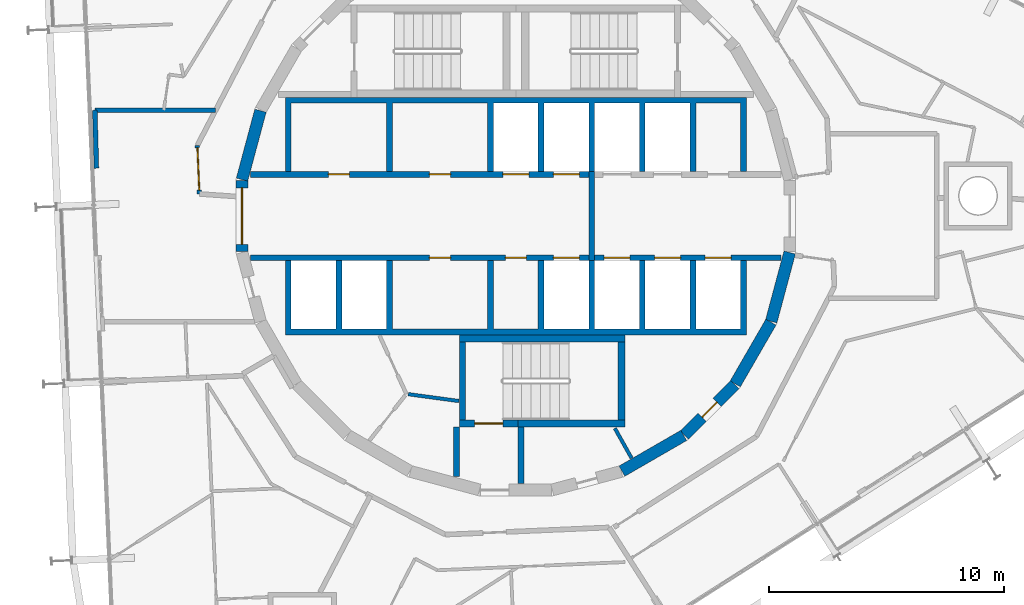
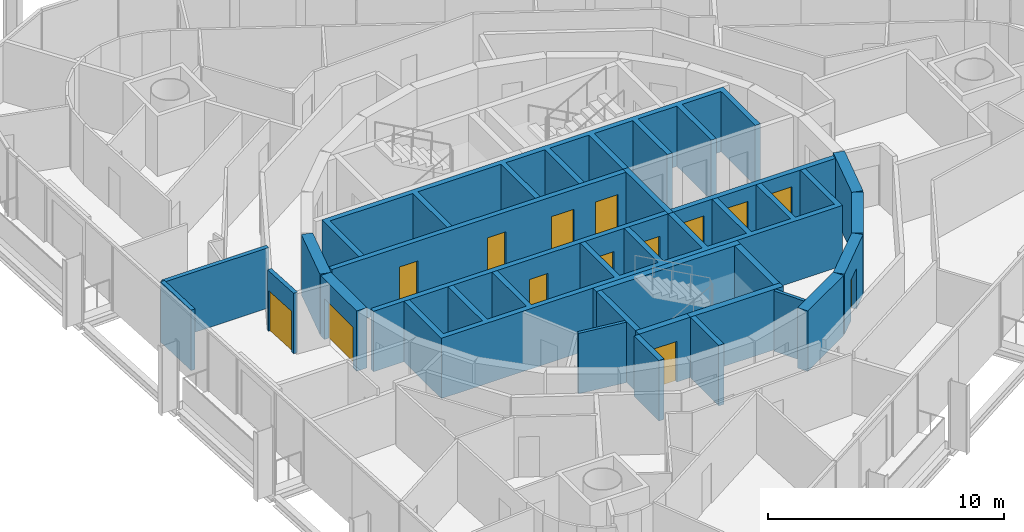
# One storey, part 13 of 18: 24 walls, 14 doors, 14 openings.
"""IFC4 building model written with IfcOpenShell, lengths in metres."""

from ifc_helpers import new_model, si_unit, direction, frame, frame_2d, origin, place, context, subcontext, project, spatial, polyline, rectangle, outline, extrude, material, layer, layer_set, type_object, element, fill, save


model = new_model("IFC4")

# Units and contexts
model_context = context("Model", 3, precision=1e-05, world=origin(), true_north=direction((0.0, 1.0)))
body_context = subcontext(model_context, "Body", "Model", "MODEL_VIEW")
ifc_project = project(units=[si_unit("LENGTHUNIT", "METRE"), si_unit("AREAUNIT", "SQUARE_METRE"), si_unit("VOLUMEUNIT", "CUBIC_METRE"), si_unit("PLANEANGLEUNIT", "RADIAN"), si_unit("MASSUNIT", "GRAM", prefix="KILO")], contexts=[model_context])

# Site, building, storey
site_placement = place(None, origin())
site = spatial("IfcSite", under=ifc_project, at=site_placement, CompositionType="ELEMENT")
building_placement = place(site_placement, origin())
building = spatial("IfcBuilding", under=site, at=building_placement, Name="Spindle Arch Residences", CompositionType="ELEMENT")
storey_placement = place(building_placement, frame((0.0, 0.0, 233.699951171875)))
storey = spatial("IfcBuildingStorey", under=building, at=storey_placement, Name="L59", CompositionType="ELEMENT", Elevation=233.699951171875)

# Wall
ifc_material_1 = material(Name="Concrete C50/60", Category="concrete")
ifc_layer_1 = layer(ifc_material_1, 0.5)
ifc_layer_set_1 = layer_set([ifc_layer_1], Name="Core outline wall 500")
wall_type_1 = type_object("IfcWallType", Name="Core outline wall 500", PredefinedType="SHEAR", material=ifc_layer_set_1)
wall_1_placement = place(storey_placement, frame((4.510498046875, -10.84521484375, 0.0), z_axis=(0.0, 0.0, 1.0), x_axis=(0.865975092491, 0.500087131594, 0.0)))
element("IfcWall", 1, at=wall_1_placement, inside=storey, type_object=wall_type_1, Name="Core outline wall 2", PredefinedType="SHEAR", context=body_context, shape_type="SweptSolid", body=[
    extrude(rectangle(XDim=3.03271484375, YDim=0.5, at=frame_2d((1.516357421875, 0.0))), origin(), (0.0, 0.0, 1.0), 3.1201171875),
])

# Wall, opening, door
wall_2_placement = place(storey_placement, frame((7.163818359375, -9.30810546875, 0.0), z_axis=(0.0, 0.0, 1.0), x_axis=(0.707106781187, 0.707106781187, 0.0)))
wall_2 = element("IfcWall", 2, at=wall_2_placement, inside=storey, type_object=wall_type_1, Name="Core outline wall 3", PredefinedType="SHEAR", context=body_context, shape_type="SweptSolid", body=[
    extrude(rectangle(XDim=3.032470703125, YDim=0.5, at=frame_2d((1.51611328125, 0.0))), origin(), (0.0, 0.0, 1.0), 3.1201171875),
])
opening_1_placement = place(wall_2_placement, frame((1.06640625, 0.0, 0.0)))
opening_1 = element("IfcOpeningElement", 3, at=opening_1_placement, cuts=wall_2, Name="Opening R6A0-WD08", PredefinedType="OPENING", context=body_context, shape_type="SweptSolid", body=[
    extrude(rectangle(XDim=0.89990234375, YDim=2.10009765625, at=frame_2d((0.449951171875, 1.050048828125))), frame((0.0, 0.260009765625, 0.0), z_axis=(0.0, -1.0, 0.0), x_axis=(1.0, 0.0, 0.0)), (0.0, 0.0, 1.0), 0.52001953125),
])
ifc_material_2 = material(Name="Steel, fire-resisting door", Category="steel")
door_type_1 = type_object("IfcDoorType", Name="Service room door 900x2100", OperationType="SINGLE_SWING_LEFT", PredefinedType="DOOR", material=ifc_material_2)
door_1_placement = place(opening_1_placement, origin())
door_1 = element("IfcDoor", 4, at=door_1_placement, inside=storey, type_object=door_type_1, Name="Service room door R6A0-WD08", OperationType="SINGLE_SWING_RIGHT", OverallHeight=2.10009765625, OverallWidth=0.89990234375, PredefinedType="DOOR", context=body_context, shape_type="SweptSolid", body=[
    extrude(rectangle(XDim=0.89990234375, YDim=2.10009765625, at=frame_2d((0.449951171875, 1.050048828125))), frame((0.0, 0.02490234375, 0.0), z_axis=(0.0, -1.0, 0.0), x_axis=(1.0, 0.0, 0.0)), (0.0, 0.0, 1.0), 0.050048828125),
])
fill(opening_1, door_1)

# Walls
for number, where, z_axis, x_axis, name in (
    (5, (9.32861328125, -7.13671875, 0.0), (0.0, 0.0, 1.0), (0.500087131594, 0.865975092491, 0.0), "Core outline wall 4"),
    (6, (10.858154296875, -4.479248046875, 0.0), (0.0, 0.0, 1.0), (0.258734743916, 0.965948410781, 0.0), "Core outline wall 5"),
    (7, (-10.858154296875, 4.479248046875, 0.0), (0.0, 0.0, 1.0), (-0.258734743916, -0.965948410781, 0.0), "Core outline wall 17"),
):
    element("IfcWall", number, at=place(storey_placement, frame(where, z_axis=z_axis, x_axis=x_axis)), inside=storey, type_object=wall_type_1, Name=name, PredefinedType="SHEAR", context=body_context, shape_type="SweptSolid", body=[
        extrude(rectangle(XDim=3.03271484375, YDim=0.5, at=frame_2d((1.516357421875, 0.0))), origin(), (0.0, 0.0, 1.0), 3.1201171875),
    ])

# Wall, opening, door
wall_3_placement = place(storey_placement, frame((-11.647216796875, 1.516357421875, 0.0), z_axis=(0.0, 0.0, 1.0), x_axis=(0.0, -1.0, 0.0)))
wall_3 = element("IfcWall", 8, at=wall_3_placement, inside=storey, type_object=wall_type_1, Name="Core outline wall 18", PredefinedType="SHEAR", context=body_context, shape_type="SweptSolid", body=[
    extrude(rectangle(XDim=3.03271484375, YDim=0.5, at=frame_2d((1.516357421875, 0.0))), origin(), (0.0, 0.0, 1.0), 3.1201171875),
])
opening_2_placement = place(wall_3_placement, frame((0.31640625, 0.0, 0.0)))
opening_2 = element("IfcOpeningElement", 9, at=opening_2_placement, cuts=wall_3, Name="Opening R6A0-LE01", PredefinedType="OPENING", context=body_context, shape_type="SweptSolid", body=[
    extrude(rectangle(XDim=2.39990234375, YDim=2.10009765625, at=frame_2d((1.199951171875, 1.050048828125))), frame((0.0, 0.260009765625, 0.0), z_axis=(0.0, -1.0, 0.0), x_axis=(1.0, 0.0, 0.0)), (0.0, 0.0, 1.0), 0.52001953125),
])
ifc_material_3 = material(Name="Steel, fire-resisting door", Category="steel")
door_type_2 = type_object("IfcDoorType", Name="Lift lobby entrance door 2400x2100", OperationType="DOUBLE_DOOR_SINGLE_SWING", PredefinedType="DOOR", material=ifc_material_3)
door_2_placement = place(opening_2_placement, origin())
door_2 = element("IfcDoor", 10, at=door_2_placement, inside=storey, type_object=door_type_2, Name="Lift lobby entrance door R6A0-LE01", OperationType="DOUBLE_DOOR_SINGLE_SWING", OverallHeight=2.10009765625, OverallWidth=2.39990234375, PredefinedType="DOOR", context=body_context, shape_type="SweptSolid", body=[
    extrude(rectangle(XDim=2.39990234375, YDim=2.10009765625, at=frame_2d((1.199951171875, 1.050048828125))), frame((0.0, 0.02490234375, 0.0), z_axis=(0.0, -1.0, 0.0), x_axis=(1.0, 0.0, 0.0)), (0.0, 0.0, 1.0), 0.050048828125),
])
fill(opening_2, door_2)

# Wall
ifc_material_4 = material(Name="Concrete C40/50", Category="concrete")
ifc_layer_2 = layer(ifc_material_4, 0.25)
ifc_layer_set_2 = layer_set([ifc_layer_2], Name="Fire-lift lobby wall 250")
wall_type_2 = type_object("IfcWallType", Name="Fire-lift lobby wall 250", PredefinedType="SHEAR", material=ifc_layer_set_2)
wall_4_placement = place(storey_placement, frame((3.22509765625, -1.89990234375, 0.0), z_axis=(0.0, 0.0, 1.0), x_axis=(0.0, 1.0, 0.0)))
element("IfcWall", 11, at=wall_4_placement, inside=storey, type_object=wall_type_2, Name="Fire-fighting lobby partition", PredefinedType="SHEAR", context=body_context, shape_type="SweptSolid", body=[
    extrude(rectangle(XDim=3.7998046875, YDim=0.25, at=frame_2d((1.89990234375, 0.0))), origin(), (0.0, 0.0, 1.0), 3.1201171875),
])

# Wall, openings, doors
ifc_material_5 = material(Name="Concrete C50/60", Category="concrete")
ifc_layer_3 = layer(ifc_material_5, 0.25)
ifc_layer_set_3 = layer_set([ifc_layer_3], Name="Fire-lift shaft wall 250")
wall_type_3 = type_object("IfcWallType", Name="Fire-lift shaft wall 250", PredefinedType="SHEAR", material=ifc_layer_set_3)
wall_5_placement = place(storey_placement, frame((3.35009765625, -1.77490234375, 0.0), z_axis=(0.0, 0.0, 1.0), x_axis=(1.0, 0.0, 0.0)))
wall_5 = element("IfcWall", 12, at=wall_5_placement, inside=storey, type_object=wall_type_3, Name="Lift shaft front wall SE", PredefinedType="SHEAR", context=body_context, shape_type="SweptSolid", body=[
    extrude(rectangle(XDim=7.929931640625, YDim=0.25, at=frame_2d((3.96484375, 0.0))), origin(), (0.0, 0.0, 1.0), 3.1201171875),
])
opening_3_placement = place(wall_5_placement, frame((0.39990234375, 0.0, 0.0)))
opening_3 = element("IfcOpeningElement", 13, at=opening_3_placement, cuts=wall_5, Name="Opening R6A0-FLD01", PredefinedType="OPENING", context=body_context, shape_type="SweptSolid", body=[
    extrude(rectangle(XDim=1.10009765625, YDim=2.39990234375, at=frame_2d((0.550048828125, 1.199951171875))), frame((0.0, 0.135009765625, 0.0), z_axis=(0.0, -1.0, 0.0), x_axis=(1.0, 0.0, 0.0)), (0.0, 0.0, 1.0), 0.27001953125),
])
opening_4_placement = place(wall_5_placement, frame((2.550048828125, 0.0, 0.0)))
opening_4 = element("IfcOpeningElement", 14, at=opening_4_placement, cuts=wall_5, Name="Opening R6A0-FLD02", PredefinedType="OPENING", context=body_context, shape_type="SweptSolid", body=[
    extrude(rectangle(XDim=1.10009765625, YDim=2.39990234375, at=frame_2d((0.550048828125, 1.199951171875))), frame((0.0, 0.135009765625, 0.0), z_axis=(0.0, -1.0, 0.0), x_axis=(1.0, 0.0, 0.0)), (0.0, 0.0, 1.0), 0.27001953125),
])
opening_5_placement = place(wall_5_placement, frame((4.699951171875, 0.0, 0.0)))
opening_5 = element("IfcOpeningElement", 15, at=opening_5_placement, cuts=wall_5, Name="Opening R6A0-FLD03", PredefinedType="OPENING", context=body_context, shape_type="SweptSolid", body=[
    extrude(rectangle(XDim=1.10009765625, YDim=2.39990234375, at=frame_2d((0.550048828125, 1.199951171875))), frame((0.0, 0.135009765625, 0.0), z_axis=(0.0, -1.0, 0.0), x_axis=(1.0, 0.0, 0.0)), (0.0, 0.0, 1.0), 0.27001953125),
])
ifc_material_6 = material(Name="Steel, fire-resisting landing door", Category="steel")
door_type_3 = type_object("IfcDoorType", Name="Fire-fighting lift landing door 1100x2400", OperationType="DOUBLE_DOOR_SLIDING", PredefinedType="DOOR", material=ifc_material_6)
door_3_placement = place(opening_3_placement, origin())
door_3 = element("IfcDoor", 16, at=door_3_placement, inside=storey, type_object=door_type_3, Name="Fire-fighting lift landing door R6A0-FLD01", OperationType="DOUBLE_DOOR_SLIDING", OverallHeight=2.39990234375, OverallWidth=1.10009765625, PredefinedType="DOOR", context=body_context, shape_type="SweptSolid", body=[
    extrude(rectangle(XDim=1.10009765625, YDim=2.39990234375, at=frame_2d((0.550048828125, 1.199951171875))), frame((0.0, 0.02490234375, 0.0), z_axis=(0.0, -1.0, 0.0), x_axis=(1.0, 0.0, 0.0)), (0.0, 0.0, 1.0), 0.050048828125),
])
fill(opening_3, door_3)
door_4_placement = place(opening_4_placement, origin())
door_4 = element("IfcDoor", 17, at=door_4_placement, inside=storey, type_object=door_type_3, Name="Fire-fighting lift landing door R6A0-FLD02", OperationType="DOUBLE_DOOR_SLIDING", OverallHeight=2.39990234375, OverallWidth=1.10009765625, PredefinedType="DOOR", context=body_context, shape_type="SweptSolid", body=[
    extrude(rectangle(XDim=1.10009765625, YDim=2.39990234375, at=frame_2d((0.550048828125, 1.199951171875))), frame((0.0, 0.02490234375, 0.0), z_axis=(0.0, -1.0, 0.0), x_axis=(1.0, 0.0, 0.0)), (0.0, 0.0, 1.0), 0.050048828125),
])
fill(opening_4, door_4)
door_5_placement = place(opening_5_placement, origin())
door_5 = element("IfcDoor", 18, at=door_5_placement, inside=storey, type_object=door_type_3, Name="Fire-fighting lift landing door R6A0-FLD03", OperationType="DOUBLE_DOOR_SLIDING", OverallHeight=2.39990234375, OverallWidth=1.10009765625, PredefinedType="DOOR", context=body_context, shape_type="SweptSolid", body=[
    extrude(rectangle(XDim=1.10009765625, YDim=2.39990234375, at=frame_2d((0.550048828125, 1.199951171875))), frame((0.0, 0.02490234375, 0.0), z_axis=(0.0, -1.0, 0.0), x_axis=(1.0, 0.0, 0.0)), (0.0, 0.0, 1.0), 0.050048828125),
])
fill(opening_5, door_5)

# Wall, opening, door
ifc_material_7 = material(Name="Calcium silicate block, plastered")
ifc_layer_4 = layer(ifc_material_7, 0.199951171875)
ifc_layer_set_4 = layer_set([ifc_layer_4], Name="Lift lobby bay wall 200")
wall_type_4 = type_object("IfcWallType", Name="Lift lobby bay wall 200", PredefinedType="STANDARD", material=ifc_layer_set_4)
wall_6_placement = place(storey_placement, frame((-13.5439453125, 3.002685546875, 0.0), z_axis=(0.0, 0.0, 1.0), x_axis=(0.043652842459, -0.99904676034, 0.0)))
wall_6 = element("IfcWall", 19, at=wall_6_placement, inside=storey, type_object=wall_type_4, Name="Lift lobby bay wall R6A0-W008", PredefinedType="STANDARD", context=body_context, shape_type="SweptSolid", body=[
    extrude(rectangle(XDim=2.063720703125, YDim=0.199951171875, at=frame_2d((1.03173828125, 0.0))), origin(), (0.0, 0.0, 1.0), 3.1201171875),
])
opening_6_placement = place(wall_6_placement, frame((0.10009765625, 0.0, 0.0)))
opening_6 = element("IfcOpeningElement", 20, at=opening_6_placement, cuts=wall_6, Name="Opening R6A0-LB01", PredefinedType="OPENING", context=body_context, shape_type="SweptSolid", body=[
    extrude(rectangle(XDim=1.800048828125, YDim=2.10009765625, at=frame_2d((0.89990234375, 1.050048828125))), frame((0.0, 0.10986328125, 0.0), z_axis=(0.0, -1.0, 0.0), x_axis=(1.0, 0.0, 0.0)), (0.0, 0.0, 1.0), 0.219970703125),
])
ifc_material_8 = material(Name="Steel, fire-resisting door", Category="steel")
door_type_4 = type_object("IfcDoorType", Name="Lift lobby bay door 1800x2100", OperationType="NOTDEFINED", PredefinedType="DOOR", material=ifc_material_8)
door_6_placement = place(opening_6_placement, origin())
door_6 = element("IfcDoor", 21, at=door_6_placement, inside=storey, type_object=door_type_4, Name="Lift lobby bay door R6A0-LB01", OperationType="DOUBLE_DOOR_SINGLE_SWING", OverallHeight=2.10009765625, OverallWidth=1.800048828125, PredefinedType="DOOR", context=body_context, shape_type="SweptSolid", body=[
    extrude(rectangle(XDim=1.800048828125, YDim=2.10009765625, at=frame_2d((0.89990234375, 1.050048828125))), frame((0.0, 0.02490234375, 0.0), z_axis=(0.0, -1.0, 0.0), x_axis=(1.0, 0.0, 0.0)), (0.0, 0.0, 1.0), 0.050048828125),
])
fill(opening_6, door_6)

# Walls
wall_7_placement = place(storey_placement, frame((-12.764404296875, 4.5, 0.0), z_axis=(0.0, 0.0, 1.0), x_axis=(-1.0, 0.0, 0.0)))
element("IfcWall", 22, at=wall_7_placement, inside=storey, type_object=wall_type_4, Name="Lift lobby bay wall R6A0-W022", PredefinedType="STANDARD", context=body_context, shape_type="SweptSolid", body=[
    extrude(rectangle(XDim=5.135498046875, YDim=0.199951171875, at=frame_2d((2.56787109375, 0.0))), origin(), (0.0, 0.0, 1.0), 3.1201171875),
])
wall_8_placement = place(storey_placement, frame((-17.89990234375, 4.5, 0.0), z_axis=(0.0, 0.0, 1.0), x_axis=(0.027204178319, -0.999629897853, 0.0)))
element("IfcWall", 23, at=wall_8_placement, inside=storey, type_object=wall_type_4, Name="Lift lobby bay wall R6A0-W023", PredefinedType="STANDARD", context=body_context, shape_type="SweptSolid", body=[
    extrude(rectangle(XDim=2.468017578125, YDim=0.199951171875, at=frame_2d((1.23388671875, 0.0))), origin(), (0.0, 0.0, 1.0), 3.1201171875),
])

# Wall, openings, doors
ifc_material_9 = material(Name="Concrete C50/60", Category="concrete")
ifc_layer_5 = layer(ifc_material_9, 0.25)
ifc_layer_set_5 = layer_set([ifc_layer_5], Name="Lift shaft wall 250")
wall_type_5 = type_object("IfcWallType", Name="Lift shaft wall 250", PredefinedType="SHEAR", material=ifc_layer_set_5)
wall_9_placement = place(storey_placement, frame((-11.280029296875, 1.77490234375, 0.0), z_axis=(0.0, 0.0, 1.0), x_axis=(1.0, 0.0, 0.0)))
wall_9 = element("IfcWall", 24, at=wall_9_placement, inside=storey, type_object=wall_type_5, Name="Lift shaft front wall NW", PredefinedType="SHEAR", context=body_context, shape_type="SweptSolid", body=[
    extrude(rectangle(XDim=14.380126953125, YDim=0.25, at=frame_2d((7.18994140625, 0.0))), origin(), (0.0, 0.0, 1.0), 3.1201171875),
])
opening_7_placement = place(wall_9_placement, frame((10.72998046875, 0.0, 0.0)))
opening_7 = element("IfcOpeningElement", 25, at=opening_7_placement, cuts=wall_9, Name="Opening R6A0-LD01", PredefinedType="OPENING", context=body_context, shape_type="SweptSolid", body=[
    extrude(rectangle(XDim=1.10009765625, YDim=2.10009765625, at=frame_2d((0.550048828125, 1.050048828125))), frame((0.0, 0.135009765625, 0.0), z_axis=(0.0, -1.0, 0.0), x_axis=(1.0, 0.0, 0.0)), (0.0, 0.0, 1.0), 0.27001953125),
])
opening_8_placement = place(wall_9_placement, frame((12.8798828125, 0.0, 0.0)))
opening_8 = element("IfcOpeningElement", 26, at=opening_8_placement, cuts=wall_9, Name="Opening R6A0-LD02", PredefinedType="OPENING", context=body_context, shape_type="SweptSolid", body=[
    extrude(rectangle(XDim=1.10009765625, YDim=2.10009765625, at=frame_2d((0.550048828125, 1.050048828125))), frame((0.0, 0.135009765625, 0.0), z_axis=(0.0, -1.0, 0.0), x_axis=(1.0, 0.0, 0.0)), (0.0, 0.0, 1.0), 0.27001953125),
])
opening_9_placement = place(wall_9_placement, frame((3.304931640625, 0.0, 0.0)))
opening_9 = element("IfcOpeningElement", 27, at=opening_9_placement, cuts=wall_9, Name="Opening R6A0-WD01", PredefinedType="OPENING", context=body_context, shape_type="SweptSolid", body=[
    extrude(rectangle(XDim=0.89990234375, YDim=2.10009765625, at=frame_2d((0.449951171875, 1.050048828125))), frame((0.0, 0.135009765625, 0.0), z_axis=(0.0, -1.0, 0.0), x_axis=(1.0, 0.0, 0.0)), (0.0, 0.0, 1.0), 0.27001953125),
])
opening_10_placement = place(wall_9_placement, frame((7.60498046875, 0.0, 0.0)))
opening_10 = element("IfcOpeningElement", 28, at=opening_10_placement, cuts=wall_9, Name="Opening R6A0-WD02", PredefinedType="OPENING", context=body_context, shape_type="SweptSolid", body=[
    extrude(rectangle(XDim=0.89990234375, YDim=2.10009765625, at=frame_2d((0.449951171875, 1.050048828125))), frame((0.0, 0.135009765625, 0.0), z_axis=(0.0, -1.0, 0.0), x_axis=(1.0, 0.0, 0.0)), (0.0, 0.0, 1.0), 0.27001953125),
])
ifc_material_10 = material(Name="Steel, fire-resisting landing door", Category="steel")
door_type_5 = type_object("IfcDoorType", Name="Lift landing door 1100x2100", OperationType="DOUBLE_DOOR_SLIDING", PredefinedType="DOOR", material=ifc_material_10)
door_7_placement = place(opening_7_placement, origin())
door_7 = element("IfcDoor", 29, at=door_7_placement, inside=storey, type_object=door_type_5, Name="Lift landing door R6A0-LD01", OperationType="DOUBLE_DOOR_SLIDING", OverallHeight=2.10009765625, OverallWidth=1.10009765625, PredefinedType="DOOR", context=body_context, shape_type="SweptSolid", body=[
    extrude(rectangle(XDim=1.10009765625, YDim=2.10009765625, at=frame_2d((0.550048828125, 1.050048828125))), frame((0.0, 0.02490234375, 0.0), z_axis=(0.0, -1.0, 0.0), x_axis=(1.0, 0.0, 0.0)), (0.0, 0.0, 1.0), 0.050048828125),
])
fill(opening_7, door_7)
door_8_placement = place(opening_8_placement, origin())
door_8 = element("IfcDoor", 30, at=door_8_placement, inside=storey, type_object=door_type_5, Name="Lift landing door R6A0-LD02", OperationType="DOUBLE_DOOR_SLIDING", OverallHeight=2.10009765625, OverallWidth=1.10009765625, PredefinedType="DOOR", context=body_context, shape_type="SweptSolid", body=[
    extrude(rectangle(XDim=1.10009765625, YDim=2.10009765625, at=frame_2d((0.550048828125, 1.050048828125))), frame((0.0, 0.02490234375, 0.0), z_axis=(0.0, -1.0, 0.0), x_axis=(1.0, 0.0, 0.0)), (0.0, 0.0, 1.0), 0.050048828125),
])
fill(opening_8, door_8)
door_9_placement = place(opening_9_placement, origin())
door_9 = element("IfcDoor", 31, at=door_9_placement, inside=storey, type_object=door_type_1, Name="Service room door R6A0-WD01", OperationType="SINGLE_SWING_LEFT", OverallHeight=2.10009765625, OverallWidth=0.89990234375, PredefinedType="DOOR", context=body_context, shape_type="SweptSolid", body=[
    extrude(rectangle(XDim=0.89990234375, YDim=2.10009765625, at=frame_2d((0.449951171875, 1.050048828125))), frame((0.0, 0.02490234375, 0.0), z_axis=(0.0, -1.0, 0.0), x_axis=(1.0, 0.0, 0.0)), (0.0, 0.0, 1.0), 0.050048828125),
])
fill(opening_9, door_9)
door_10_placement = place(opening_10_placement, origin())
door_10 = element("IfcDoor", 32, at=door_10_placement, inside=storey, type_object=door_type_1, Name="Service room door R6A0-WD02", OperationType="SINGLE_SWING_RIGHT", OverallHeight=2.10009765625, OverallWidth=0.89990234375, PredefinedType="DOOR", context=body_context, shape_type="SweptSolid", body=[
    extrude(rectangle(XDim=0.89990234375, YDim=2.10009765625, at=frame_2d((0.449951171875, 1.050048828125))), frame((0.0, 0.02490234375, 0.0), z_axis=(0.0, -1.0, 0.0), x_axis=(1.0, 0.0, 0.0)), (0.0, 0.0, 1.0), 0.050048828125),
])
fill(opening_10, door_10)

wall_10_placement = place(storey_placement, frame((-11.280029296875, -1.77490234375, 0.0), z_axis=(0.0, 0.0, 1.0), x_axis=(1.0, 0.0, 0.0)))
wall_10 = element("IfcWall", 33, at=wall_10_placement, inside=storey, type_object=wall_type_5, Name="Lift shaft front wall SW", PredefinedType="SHEAR", context=body_context, shape_type="SweptSolid", body=[
    extrude(rectangle(XDim=14.380126953125, YDim=0.25, at=frame_2d((7.18994140625, 0.0))), origin(), (0.0, 0.0, 1.0), 3.1201171875),
])
opening_11_placement = place(wall_10_placement, frame((12.8798828125, 0.0, 0.0)))
opening_11 = element("IfcOpeningElement", 34, at=opening_11_placement, cuts=wall_10, Name="Opening R6A0-LD03", PredefinedType="OPENING", context=body_context, shape_type="SweptSolid", body=[
    extrude(rectangle(XDim=1.10009765625, YDim=2.10009765625, at=frame_2d((0.550048828125, 1.050048828125))), frame((0.0, 0.135009765625, 0.0), z_axis=(0.0, -1.0, 0.0), x_axis=(1.0, 0.0, 0.0)), (0.0, 0.0, 1.0), 0.27001953125),
])
opening_12_placement = place(wall_10_placement, frame((7.60498046875, 0.0, 0.0)))
opening_12 = element("IfcOpeningElement", 35, at=opening_12_placement, cuts=wall_10, Name="Opening R6A0-WD04", PredefinedType="OPENING", context=body_context, shape_type="SweptSolid", body=[
    extrude(rectangle(XDim=0.89990234375, YDim=2.10009765625, at=frame_2d((0.449951171875, 1.050048828125))), frame((0.0, 0.135009765625, 0.0), z_axis=(0.0, -1.0, 0.0), x_axis=(1.0, 0.0, 0.0)), (0.0, 0.0, 1.0), 0.27001953125),
])
opening_13_placement = place(wall_10_placement, frame((10.830078125, 0.0, 0.0)))
opening_13 = element("IfcOpeningElement", 36, at=opening_13_placement, cuts=wall_10, Name="Opening R6A0-WD05", PredefinedType="OPENING", context=body_context, shape_type="SweptSolid", body=[
    extrude(rectangle(XDim=0.89990234375, YDim=2.10009765625, at=frame_2d((0.449951171875, 1.050048828125))), frame((0.0, 0.135009765625, 0.0), z_axis=(0.0, -1.0, 0.0), x_axis=(1.0, 0.0, 0.0)), (0.0, 0.0, 1.0), 0.27001953125),
])
door_11_placement = place(opening_11_placement, origin())
door_11 = element("IfcDoor", 37, at=door_11_placement, inside=storey, type_object=door_type_5, Name="Lift landing door R6A0-LD03", OperationType="DOUBLE_DOOR_SLIDING", OverallHeight=2.10009765625, OverallWidth=1.10009765625, PredefinedType="DOOR", context=body_context, shape_type="SweptSolid", body=[
    extrude(rectangle(XDim=1.10009765625, YDim=2.10009765625, at=frame_2d((0.550048828125, 1.050048828125))), frame((0.0, 0.02490234375, 0.0), z_axis=(0.0, -1.0, 0.0), x_axis=(1.0, 0.0, 0.0)), (0.0, 0.0, 1.0), 0.050048828125),
])
fill(opening_11, door_11)
door_12_placement = place(opening_12_placement, origin())
door_12 = element("IfcDoor", 38, at=door_12_placement, inside=storey, type_object=door_type_1, Name="Service room door R6A0-WD04", OperationType="SINGLE_SWING_RIGHT", OverallHeight=2.10009765625, OverallWidth=0.89990234375, PredefinedType="DOOR", context=body_context, shape_type="SweptSolid", body=[
    extrude(rectangle(XDim=0.89990234375, YDim=2.10009765625, at=frame_2d((0.449951171875, 1.050048828125))), frame((0.0, 0.02490234375, 0.0), z_axis=(0.0, -1.0, 0.0), x_axis=(1.0, 0.0, 0.0)), (0.0, 0.0, 1.0), 0.050048828125),
])
fill(opening_12, door_12)
door_13_placement = place(opening_13_placement, origin())
door_13 = element("IfcDoor", 39, at=door_13_placement, inside=storey, type_object=door_type_1, Name="Service room door R6A0-WD05", OperationType="SINGLE_SWING_LEFT", OverallHeight=2.10009765625, OverallWidth=0.89990234375, PredefinedType="DOOR", context=body_context, shape_type="SweptSolid", body=[
    extrude(rectangle(XDim=0.89990234375, YDim=2.10009765625, at=frame_2d((0.449951171875, 1.050048828125))), frame((0.0, 0.02490234375, 0.0), z_axis=(0.0, -1.0, 0.0), x_axis=(1.0, 0.0, 0.0)), (0.0, 0.0, 1.0), 0.050048828125),
])
fill(opening_13, door_13)

# Walls
ifc_material_11 = material(Name="Concrete C50/60", Category="concrete")
wall_type_6 = type_object("IfcWallType", Name="Lift shaft wall profile", PredefinedType="SHEAR", material=ifc_material_11)
wall_11_placement = place(storey_placement, origin())
element("IfcWall", 40, at=wall_11_placement, inside=storey, type_object=wall_type_6, Name="Lift shaft walls N", PredefinedType="SHEAR", context=body_context, shape_type="SweptSolid", body=[
    extrude(outline(polyline([(-9.550048828125, 4.800048828125), (-5.5, 4.800048828125), (-5.5, 1.89990234375), (-5.25, 1.89990234375), (-5.25, 4.800048828125), (-1.199951171875, 4.800048828125), (-1.199951171875, 1.89990234375), (-0.949951171875, 1.89990234375), (-0.949951171875, 4.800048828125), (0.949951171875, 4.800048828125), (0.949951171875, 1.89990234375), (1.199951171875, 1.89990234375), (1.199951171875, 4.800048828125), (3.10009765625, 4.800048828125), (3.10009765625, 1.89990234375), (3.35009765625, 1.89990234375), (3.35009765625, 4.800048828125), (5.25, 4.800048828125), (5.25, 1.89990234375), (5.5, 1.89990234375), (5.5, 4.800048828125), (7.39990234375, 4.800048828125), (7.39990234375, 1.89990234375), (7.64990234375, 1.89990234375), (7.64990234375, 4.800048828125), (9.550048828125, 4.800048828125), (9.550048828125, 1.89990234375), (9.800048828125, 1.89990234375), (9.800048828125, 4.800048828125), (9.800048828125, 5.050048828125), (-9.800048828125, 5.050048828125), (-9.800048828125, 4.800048828125), (-9.800048828125, 1.89990234375), (-9.550048828125, 1.89990234375), (-9.550048828125, 4.800048828125)])), origin(), (0.0, 0.0, 1.0), 3.1201171875),
])
wall_12_placement = place(storey_placement, origin())
element("IfcWall", 41, at=wall_12_placement, inside=storey, type_object=wall_type_6, Name="Lift shaft walls S", PredefinedType="SHEAR", context=body_context, shape_type="SweptSolid", body=[
    extrude(outline(polyline([(9.800048828125, -5.050048828125), (9.800048828125, -4.800048828125), (9.800048828125, -1.89990234375), (9.550048828125, -1.89990234375), (9.550048828125, -4.800048828125), (7.64990234375, -4.800048828125), (7.64990234375, -1.89990234375), (7.39990234375, -1.89990234375), (7.39990234375, -4.800048828125), (5.5, -4.800048828125), (5.5, -1.89990234375), (5.25, -1.89990234375), (5.25, -4.800048828125), (3.35009765625, -4.800048828125), (3.35009765625, -1.89990234375), (3.10009765625, -1.89990234375), (3.10009765625, -4.800048828125), (1.199951171875, -4.800048828125), (1.199951171875, -1.89990234375), (0.949951171875, -1.89990234375), (0.949951171875, -4.800048828125), (-0.949951171875, -4.800048828125), (-0.949951171875, -1.89990234375), (-1.199951171875, -1.89990234375), (-1.199951171875, -4.800048828125), (-5.25, -4.800048828125), (-5.25, -1.89990234375), (-5.5, -1.89990234375), (-5.5, -4.800048828125), (-7.39990234375, -4.800048828125), (-7.39990234375, -1.89990234375), (-7.64990234375, -1.89990234375), (-7.64990234375, -4.800048828125), (-9.550048828125, -4.800048828125), (-9.550048828125, -1.89990234375), (-9.800048828125, -1.89990234375), (-9.800048828125, -4.800048828125), (-9.800048828125, -5.050048828125), (9.800048828125, -5.050048828125)])), origin(), (0.0, 0.0, 1.0), 3.1201171875),
])
ifc_material_12 = material(Name="Concrete C25/30", Category="concrete")
ifc_layer_6 = layer(ifc_material_12, 0.14990234375)
ifc_layer_set_6 = layer_set([ifc_layer_6], Name="Service room partition 150")
wall_type_7 = type_object("IfcWallType", Name="Service room partition 150", PredefinedType="PARTITIONING", material=ifc_layer_set_6)
wall_13_placement = place(storey_placement, frame((4.922119140625, -10.295654296875, 0.0), z_axis=(0.0, 0.0, 1.0), x_axis=(-0.48860846254, 0.872503163509, 0.0)))
element("IfcWall", 42, at=wall_13_placement, inside=storey, type_object=wall_type_7, Name="Core service room partition", PredefinedType="PARTITIONING", context=body_context, shape_type="SweptSolid", body=[
    extrude(rectangle(XDim=1.45947265625, YDim=0.14990234375, at=frame_2d((0.729736328125, 0.0))), origin(), (0.0, 0.0, 1.0), 3.1201171875),
])
wall_14_placement = place(storey_placement, frame((-2.419921875, -7.865234375, 0.0), z_axis=(0.0, 0.0, 1.0), x_axis=(-0.990972299108, 0.134066783362, 0.0)))
element("IfcWall", 43, at=wall_14_placement, inside=storey, type_object=wall_type_7, Name="Core service room partition", PredefinedType="PARTITIONING", context=body_context, shape_type="SweptSolid", body=[
    extrude(rectangle(XDim=2.176025390625, YDim=0.14990234375, at=frame_2d((1.087890625, 0.0))), origin(), (0.0, 0.0, 1.0), 3.1201171875),
])
ifc_material_13 = material(Name="Concrete C40/50", Category="concrete")
ifc_layer_7 = layer(ifc_material_13, 0.25)
ifc_layer_set_7 = layer_set([ifc_layer_7], Name="Stair airlock wall 250")
wall_type_8 = type_object("IfcWallType", Name="Stair airlock wall 250", PredefinedType="SHEAR", material=ifc_layer_set_7)
wall_15_placement = place(storey_placement, frame((-2.52490234375, -8.969970703125, 0.0), z_axis=(0.0, 0.0, 1.0), x_axis=(0.0, -1.0, 0.0)))
element("IfcWall", 44, at=wall_15_placement, inside=storey, type_object=wall_type_8, Name="Stair ST-3 airlock wall W", PredefinedType="SHEAR", context=body_context, shape_type="SweptSolid", body=[
    extrude(rectangle(XDim=2.110107421875, YDim=0.25, at=frame_2d((1.05517578125, 0.0))), origin(), (0.0, 0.0, 1.0), 3.1201171875),
])
wall_16_placement = place(storey_placement, frame((0.22509765625, -8.969970703125, 0.0), z_axis=(0.0, 0.0, 1.0), x_axis=(0.0, -1.0, 0.0)))
element("IfcWall", 45, at=wall_16_placement, inside=storey, type_object=wall_type_8, Name="Stair ST-3 airlock wall E", PredefinedType="SHEAR", context=body_context, shape_type="SweptSolid", body=[
    extrude(rectangle(XDim=2.409912109375, YDim=0.25, at=frame_2d((1.205078125, 0.0))), origin(), (0.0, 0.0, 1.0), 3.1201171875),
])
ifc_material_14 = material(Name="Concrete C50/60", Category="concrete")
ifc_layer_8 = layer(ifc_material_14, 0.25)
ifc_layer_set_8 = layer_set([ifc_layer_8], Name="Stair enclosure wall 250")
wall_type_9 = type_object("IfcWallType", Name="Stair enclosure wall 250", PredefinedType="SHEAR", material=ifc_layer_set_8)
wall_17_placement = place(storey_placement, frame((-2.27490234375, -8.669921875, 0.0), z_axis=(0.0, 0.0, 1.0), x_axis=(0.0, 1.0, 0.0)))
element("IfcWall", 46, at=wall_17_placement, inside=storey, type_object=wall_type_9, Name="Stair ST-3 enclosure wall W", PredefinedType="SHEAR", context=body_context, shape_type="SweptSolid", body=[
    extrude(rectangle(XDim=3.31982421875, YDim=0.25, at=frame_2d((1.659912109375, 0.0))), origin(), (0.0, 0.0, 1.0), 3.1201171875),
])
ifc_material_15 = material(Name="Concrete C50/60", Category="concrete")
ifc_layer_9 = layer(ifc_material_15, 0.300048828125)
ifc_layer_set_9 = layer_set([ifc_layer_9], Name="Stair enclosure wall 300")
wall_type_10 = type_object("IfcWallType", Name="Stair enclosure wall 300", PredefinedType="SHEAR", material=ifc_layer_set_9)
wall_18_placement = place(storey_placement, frame((-2.39990234375, -5.199951171875, 0.0), z_axis=(0.0, 0.0, 1.0), x_axis=(1.0, 0.0, 0.0)))
element("IfcWall", 47, at=wall_18_placement, inside=storey, type_object=wall_type_10, Name="Stair ST-3 enclosure wall N", PredefinedType="SHEAR", context=body_context, shape_type="SweptSolid", body=[
    extrude(rectangle(XDim=7.0498046875, YDim=0.300048828125, at=frame_2d((3.52490234375, 0.0))), origin(), (0.0, 0.0, 1.0), 3.1201171875),
])
wall_19_placement = place(storey_placement, frame((4.5, -8.669921875, 0.0), z_axis=(0.0, 0.0, 1.0), x_axis=(0.0, 1.0, 0.0)))
element("IfcWall", 48, at=wall_19_placement, inside=storey, type_object=wall_type_10, Name="Stair ST-3 enclosure wall E", PredefinedType="SHEAR", context=body_context, shape_type="SweptSolid", body=[
    extrude(rectangle(XDim=3.31982421875, YDim=0.300048828125, at=frame_2d((1.659912109375, 0.0))), origin(), (0.0, 0.0, 1.0), 3.1201171875),
])
wall_20_placement = place(storey_placement, frame((0.10009765625, -8.820068359375, 0.0), z_axis=(0.0, 0.0, 1.0), x_axis=(1.0, 0.0, 0.0)))
element("IfcWall", 49, at=wall_20_placement, inside=storey, type_object=wall_type_10, Name="Stair ST-3 enclosure wall S", PredefinedType="SHEAR", context=body_context, shape_type="SweptSolid", body=[
    extrude(rectangle(XDim=4.5498046875, YDim=0.300048828125, at=frame_2d((2.27490234375, 0.0))), origin(), (0.0, 0.0, 1.0), 3.1201171875),
])

# Wall, opening, door
wall_21_placement = place(storey_placement, frame((-2.39990234375, -8.820068359375, 0.0), z_axis=(0.0, 0.0, 1.0), x_axis=(1.0, 0.0, 0.0)))
wall_21 = element("IfcWall", 50, at=wall_21_placement, inside=storey, type_object=wall_type_10, Name="Stair ST-3 door wall", PredefinedType="SHEAR", context=body_context, shape_type="SweptSolid", body=[
    extrude(rectangle(XDim=2.5, YDim=0.300048828125, at=frame_2d((1.25, 0.0))), origin(), (0.0, 0.0, 1.0), 3.1201171875),
])
opening_14_placement = place(wall_21_placement, frame((0.64990234375, 0.0, 0.0)))
opening_14 = element("IfcOpeningElement", 51, at=opening_14_placement, cuts=wall_21, Name="Opening R6A0-SD03", PredefinedType="OPENING", context=body_context, shape_type="SweptSolid", body=[
    extrude(rectangle(XDim=1.199951171875, YDim=2.10009765625, at=frame_2d((0.60009765625, 1.050048828125))), frame((0.0, 0.16015625, 0.0), z_axis=(0.0, -1.0, 0.0), x_axis=(1.0, 0.0, 0.0)), (0.0, 0.0, 1.0), 0.320068359375),
])
ifc_material_16 = material(Name="Steel, fire-resisting door", Category="steel")
door_type_6 = type_object("IfcDoorType", Name="Stair door 1200x2100", OperationType="SINGLE_SWING_RIGHT", PredefinedType="DOOR", material=ifc_material_16)
door_14_placement = place(opening_14_placement, origin())
door_14 = element("IfcDoor", 52, at=door_14_placement, inside=storey, type_object=door_type_6, Name="Stair door R6A0-SD03", OperationType="SINGLE_SWING_LEFT", OverallHeight=2.10009765625, OverallWidth=1.199951171875, PredefinedType="DOOR", context=body_context, shape_type="SweptSolid", body=[
    extrude(rectangle(XDim=1.199951171875, YDim=2.10009765625, at=frame_2d((0.60009765625, 1.050048828125))), frame((0.0, 0.02490234375, 0.0), z_axis=(0.0, -1.0, 0.0), x_axis=(1.0, 0.0, 0.0)), (0.0, 0.0, 1.0), 0.050048828125),
])
fill(opening_14, door_14)

save(model, "model.ifc")
